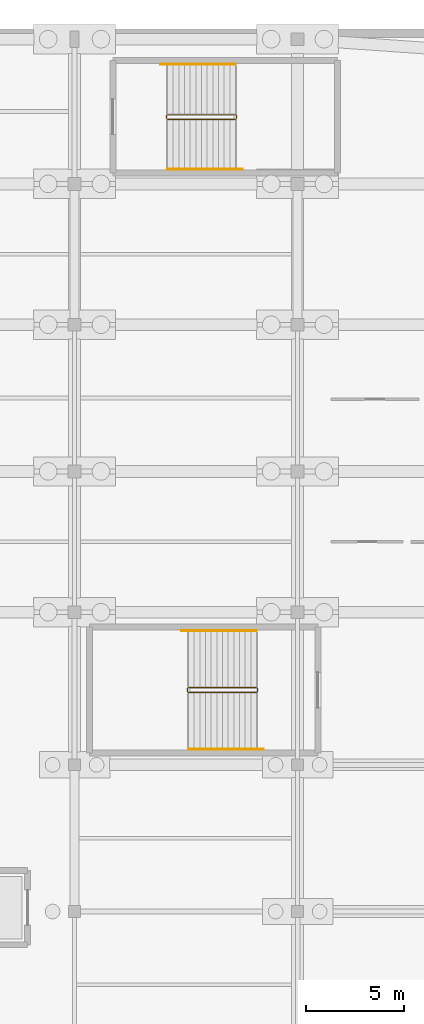
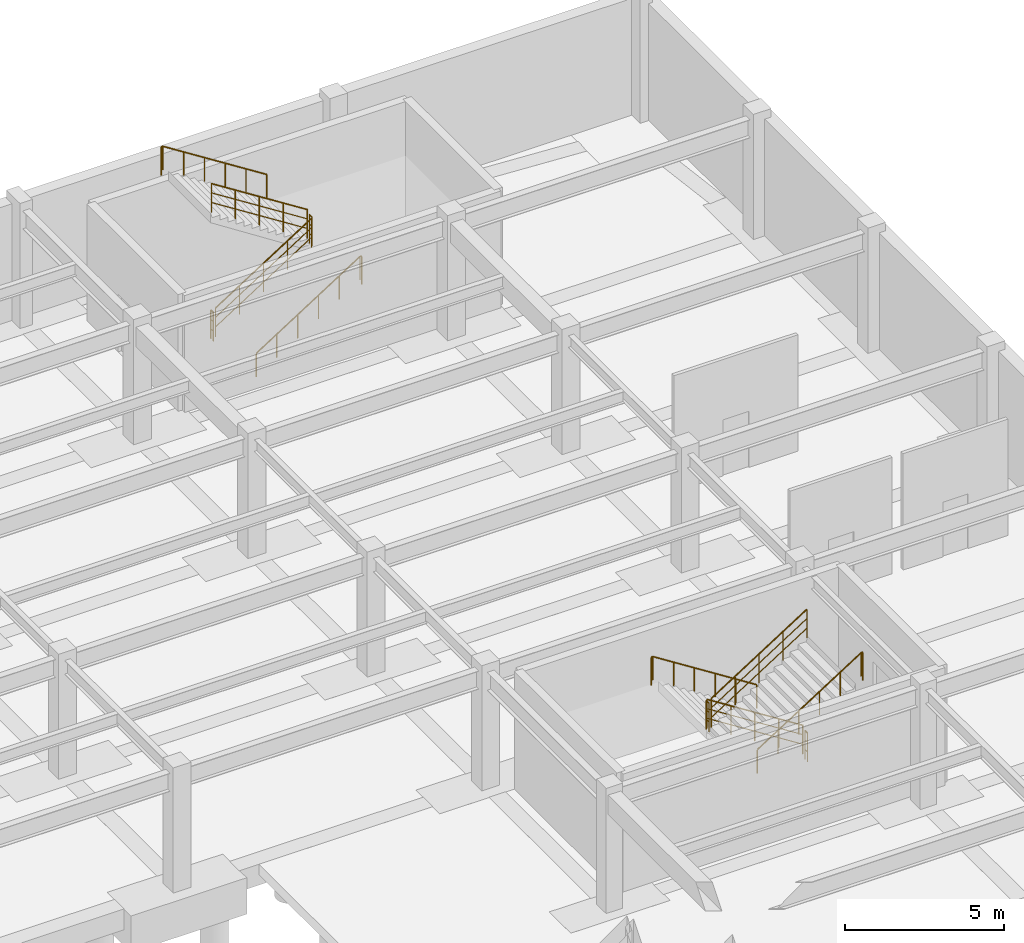
# One storey, part 67 of 68: 12 railings.
"""IFC4 building model written with IfcOpenShell, lengths in metres."""

from ifc_helpers import new_model, si_unit, direction, frame, origin, origin_2d, place, context, subcontext, project, spatial, circle, extrude, material, type_object, element, save


model = new_model("IFC4")

# Units and contexts
model_context = context("Model", 3, precision=1e-05, world=origin(), true_north=direction((0.0, 1.0)))
body_context = subcontext(model_context, "Body", "Model", "MODEL_VIEW")
ifc_project = project(units=[si_unit("LENGTHUNIT", "METRE"), si_unit("AREAUNIT", "SQUARE_METRE"), si_unit("VOLUMEUNIT", "CUBIC_METRE"), si_unit("PLANEANGLEUNIT", "RADIAN"), si_unit("MASSUNIT", "GRAM", prefix="KILO")], contexts=[model_context])

# Site, building, storey
site_placement = place(None, origin())
site = spatial("IfcSite", under=ifc_project, at=site_placement, CompositionType="ELEMENT")
building_placement = place(site_placement, origin())
building = spatial("IfcBuilding", under=site, at=building_placement, Name="Cinderbank Siding Concert Hall", CompositionType="ELEMENT")
storey_placement = place(building_placement, frame((0.0, 0.0, -4.800048828125)))
storey = spatial("IfcBuildingStorey", under=building, at=storey_placement, Name="B1", CompositionType="ELEMENT", Elevation=-4.800048828125)

# Railings
ifc_material = material(Name="Structural steel AS/NZS 3679.1 Grade 350 (340 MPa)", Category="steel")
railing_type_1 = type_object("IfcRailingType", Name="STG-01 Stair Well Guardrail 1120mm", PredefinedType="GUARDRAIL", material=ifc_material)
railing_1_placement = place(storey_placement, frame((155.14990234375, 113.800048828125, 0.1845703125)))
element("IfcRailing", 1, at=railing_1_placement, inside=storey, type_object=railing_type_1, Name="B1 ST-07 stair guard 1", PredefinedType="GUARDRAIL", context=body_context, shape_type="SweptSolid", body=[
    extrude(circle(Radius=0.02392578125, at=origin_2d()), frame((0.0, 0.0, 1.09619140625), z_axis=(0.843546938479, 0.0, 0.53705545578), x_axis=(0.0, 1.0, 0.0)), (0.0, 0.0, 1.0), 4.12548828125),
    extrude(circle(Radius=0.01611328125, at=origin_2d()), frame((0.0, 0.0, 0.36962890625), z_axis=(0.843546938479, 0.0, 0.53705545578), x_axis=(0.0, 1.0, 0.0)), (0.0, 0.0, 1.0), 4.12548828125),
    extrude(circle(Radius=0.01611328125, at=origin_2d()), frame((0.0, 0.0, 0.7392578125), z_axis=(0.843546938479, 0.0, 0.53705545578), x_axis=(0.0, 1.0, 0.0)), (0.0, 0.0, 1.0), 4.12548828125),
    extrude(circle(Radius=0.02099609375, at=origin_2d()), origin(), (0.0, 0.0, 1.0), 1.072021484375),
    extrude(circle(Radius=0.02099609375, at=origin_2d()), frame((0.8701171875, 0.0, 0.553955078125)), (0.0, 0.0, 1.0), 1.072021484375),
    extrude(circle(Radius=0.02099609375, at=origin_2d()), frame((1.739990234375, 0.0, 1.10791015625)), (0.0, 0.0, 1.0), 1.072021484375),
    extrude(circle(Radius=0.02099609375, at=origin_2d()), frame((2.60986328125, 0.0, 1.66162109375)), (0.0, 0.0, 1.0), 1.072021484375),
    extrude(circle(Radius=0.02099609375, at=origin_2d()), frame((3.47998046875, 0.0, 2.215576171875)), (0.0, 0.0, 1.0), 1.072021484375),
])
railing_2_placement = place(storey_placement, frame((158.679931640625, 113.85009765625, 2.400146484375)))
element("IfcRailing", 2, at=railing_2_placement, inside=storey, type_object=railing_type_1, Name="B1 ST-07 stair guard 2", PredefinedType="GUARDRAIL", context=body_context, shape_type="SweptSolid", body=[
    extrude(circle(Radius=0.02392578125, at=origin_2d()), frame((0.0, 0.0, 1.09619140625), z_axis=(0.0, 1.0, 0.0), x_axis=(-1.0, 0.0, 0.0)), (0.0, 0.0, 1.0), 0.159912109375),
    extrude(circle(Radius=0.01611328125, at=origin_2d()), frame((0.0, 0.0, 0.36962890625), z_axis=(0.0, 1.0, 0.0), x_axis=(-1.0, 0.0, 0.0)), (0.0, 0.0, 1.0), 0.159912109375),
    extrude(circle(Radius=0.01611328125, at=origin_2d()), frame((0.0, 0.0, 0.7392578125), z_axis=(0.0, 1.0, 0.0), x_axis=(-1.0, 0.0, 0.0)), (0.0, 0.0, 1.0), 0.159912109375),
    extrude(circle(Radius=0.02099609375, at=origin_2d()), origin(), (0.0, 0.0, 1.0), 1.072021484375),
    extrude(circle(Radius=0.02099609375, at=origin_2d()), frame((0.0, 0.159912109375, 0.0)), (0.0, 0.0, 1.0), 1.072021484375),
])
railing_3_placement = place(storey_placement, frame((158.6298828125, 114.06005859375, 2.584716796875)))
element("IfcRailing", 3, at=railing_3_placement, inside=storey, type_object=railing_type_1, Name="B1 ST-07 stair guard 3", PredefinedType="GUARDRAIL", context=body_context, shape_type="SweptSolid", body=[
    extrude(circle(Radius=0.02392578125, at=origin_2d()), frame((0.0, 0.0, 1.09619140625), z_axis=(-0.843573748531, 0.0, 0.537013343214), x_axis=(0.0, -1.0, 0.0)), (0.0, 0.0, 1.0), 4.125244140625),
    extrude(circle(Radius=0.01611328125, at=origin_2d()), frame((0.0, 0.0, 0.36962890625), z_axis=(-0.843573748531, 0.0, 0.537013343214), x_axis=(0.0, -1.0, 0.0)), (0.0, 0.0, 1.0), 4.125244140625),
    extrude(circle(Radius=0.01611328125, at=origin_2d()), frame((0.0, 0.0, 0.7392578125), z_axis=(-0.843573748531, 0.0, 0.537013343214), x_axis=(0.0, -1.0, 0.0)), (0.0, 0.0, 1.0), 4.125244140625),
    extrude(circle(Radius=0.02099609375, at=origin_2d()), origin(), (0.0, 0.0, 1.0), 1.072021484375),
    extrude(circle(Radius=0.02099609375, at=origin_2d()), frame((-0.8701171875, 0.0, 0.5537109375)), (0.0, 0.0, 1.0), 1.072021484375),
    extrude(circle(Radius=0.02099609375, at=origin_2d()), frame((-1.739990234375, 0.0, 1.107666015625)), (0.0, 0.0, 1.0), 1.072021484375),
    extrude(circle(Radius=0.02099609375, at=origin_2d()), frame((-2.60986328125, 0.0, 1.66162109375)), (0.0, 0.0, 1.0), 1.072021484375),
    extrude(circle(Radius=0.02099609375, at=origin_2d()), frame((-3.47998046875, 0.0, 2.21533203125)), (0.0, 0.0, 1.0), 1.072021484375),
])
railing_4_placement = place(storey_placement, frame((155.10009765625, 113.85009765625, 0.0)))
element("IfcRailing", 4, at=railing_4_placement, inside=storey, type_object=railing_type_1, Name="B1 ST-07 stair guard 4", PredefinedType="GUARDRAIL", context=body_context, shape_type="SweptSolid", body=[
    extrude(circle(Radius=0.02392578125, at=origin_2d()), frame((0.0, 0.0, 1.09619140625), z_axis=(0.0, 1.0, 0.0), x_axis=(-1.0, 0.0, 0.0)), (0.0, 0.0, 1.0), 0.159912109375),
    extrude(circle(Radius=0.01611328125, at=origin_2d()), frame((0.0, 0.0, 0.36962890625), z_axis=(0.0, 1.0, 0.0), x_axis=(-1.0, 0.0, 0.0)), (0.0, 0.0, 1.0), 0.159912109375),
    extrude(circle(Radius=0.01611328125, at=origin_2d()), frame((0.0, 0.0, 0.7392578125), z_axis=(0.0, 1.0, 0.0), x_axis=(-1.0, 0.0, 0.0)), (0.0, 0.0, 1.0), 0.159912109375),
    extrude(circle(Radius=0.02099609375, at=origin_2d()), origin(), (0.0, 0.0, 1.0), 1.072021484375),
    extrude(circle(Radius=0.02099609375, at=origin_2d()), frame((0.0, 0.159912109375, 0.0)), (0.0, 0.0, 1.0), 1.072021484375),
])
railing_5_placement = place(storey_placement, frame((159.699951171875, 84.760009765625, 0.1845703125)))
element("IfcRailing", 5, at=railing_5_placement, inside=storey, type_object=railing_type_1, Name="B1 ST-11 stair guard 1", PredefinedType="GUARDRAIL", context=body_context, shape_type="SweptSolid", body=[
    extrude(circle(Radius=0.02392578125, at=origin_2d()), frame((0.0, 0.0, 1.09619140625), z_axis=(-0.843546938479, 0.0, 0.53705545578), x_axis=(0.0, -1.0, 0.0)), (0.0, 0.0, 1.0), 4.12548828125),
    extrude(circle(Radius=0.01611328125, at=origin_2d()), frame((0.0, 0.0, 0.36962890625), z_axis=(-0.843546938479, 0.0, 0.53705545578), x_axis=(0.0, -1.0, 0.0)), (0.0, 0.0, 1.0), 4.12548828125),
    extrude(circle(Radius=0.01611328125, at=origin_2d()), frame((0.0, 0.0, 0.7392578125), z_axis=(-0.843546938479, 0.0, 0.53705545578), x_axis=(0.0, -1.0, 0.0)), (0.0, 0.0, 1.0), 4.12548828125),
    extrude(circle(Radius=0.02099609375, at=origin_2d()), origin(), (0.0, 0.0, 1.0), 1.072021484375),
    extrude(circle(Radius=0.02099609375, at=origin_2d()), frame((-0.8701171875, 0.0, 0.553955078125)), (0.0, 0.0, 1.0), 1.072021484375),
    extrude(circle(Radius=0.02099609375, at=origin_2d()), frame((-1.739990234375, 0.0, 1.10791015625)), (0.0, 0.0, 1.0), 1.072021484375),
    extrude(circle(Radius=0.02099609375, at=origin_2d()), frame((-2.60986328125, 0.0, 1.66162109375)), (0.0, 0.0, 1.0), 1.072021484375),
    extrude(circle(Radius=0.02099609375, at=origin_2d()), frame((-3.47998046875, 0.0, 2.215576171875)), (0.0, 0.0, 1.0), 1.072021484375),
])
railing_6_placement = place(storey_placement, frame((156.169921875, 84.7099609375, 2.400146484375)))
element("IfcRailing", 6, at=railing_6_placement, inside=storey, type_object=railing_type_1, Name="B1 ST-11 stair guard 2", PredefinedType="GUARDRAIL", context=body_context, shape_type="SweptSolid", body=[
    extrude(circle(Radius=0.02392578125, at=origin_2d()), frame((0.0, 0.0, 1.09619140625), z_axis=(0.0, -1.0, 0.0), x_axis=(1.0, 0.0, 0.0)), (0.0, 0.0, 1.0), 0.159912109375),
    extrude(circle(Radius=0.01611328125, at=origin_2d()), frame((0.0, 0.0, 0.36962890625), z_axis=(0.0, -1.0, 0.0), x_axis=(1.0, 0.0, 0.0)), (0.0, 0.0, 1.0), 0.159912109375),
    extrude(circle(Radius=0.01611328125, at=origin_2d()), frame((0.0, 0.0, 0.7392578125), z_axis=(0.0, -1.0, 0.0), x_axis=(1.0, 0.0, 0.0)), (0.0, 0.0, 1.0), 0.159912109375),
    extrude(circle(Radius=0.02099609375, at=origin_2d()), origin(), (0.0, 0.0, 1.0), 1.072021484375),
    extrude(circle(Radius=0.02099609375, at=origin_2d()), frame((0.0, -0.159912109375, 0.0)), (0.0, 0.0, 1.0), 1.072021484375),
])
railing_7_placement = place(storey_placement, frame((156.219970703125, 84.5, 2.584716796875)))
element("IfcRailing", 7, at=railing_7_placement, inside=storey, type_object=railing_type_1, Name="B1 ST-11 stair guard 3", PredefinedType="GUARDRAIL", context=body_context, shape_type="SweptSolid", body=[
    extrude(circle(Radius=0.02392578125, at=origin_2d()), frame((0.0, 0.0, 1.09619140625), z_axis=(0.843573748531, 0.0, 0.537013343214), x_axis=(0.0, 1.0, 0.0)), (0.0, 0.0, 1.0), 4.125244140625),
    extrude(circle(Radius=0.01611328125, at=origin_2d()), frame((0.0, 0.0, 0.36962890625), z_axis=(0.843573748531, 0.0, 0.537013343214), x_axis=(0.0, 1.0, 0.0)), (0.0, 0.0, 1.0), 4.125244140625),
    extrude(circle(Radius=0.01611328125, at=origin_2d()), frame((0.0, 0.0, 0.7392578125), z_axis=(0.843573748531, 0.0, 0.537013343214), x_axis=(0.0, 1.0, 0.0)), (0.0, 0.0, 1.0), 4.125244140625),
    extrude(circle(Radius=0.02099609375, at=origin_2d()), origin(), (0.0, 0.0, 1.0), 1.072021484375),
    extrude(circle(Radius=0.02099609375, at=origin_2d()), frame((0.8701171875, 0.0, 0.5537109375)), (0.0, 0.0, 1.0), 1.072021484375),
    extrude(circle(Radius=0.02099609375, at=origin_2d()), frame((1.739990234375, 0.0, 1.107666015625)), (0.0, 0.0, 1.0), 1.072021484375),
    extrude(circle(Radius=0.02099609375, at=origin_2d()), frame((2.60986328125, 0.0, 1.66162109375)), (0.0, 0.0, 1.0), 1.072021484375),
    extrude(circle(Radius=0.02099609375, at=origin_2d()), frame((3.47998046875, 0.0, 2.21533203125)), (0.0, 0.0, 1.0), 1.072021484375),
])
railing_8_placement = place(storey_placement, frame((159.75, 84.7099609375, 0.0)))
element("IfcRailing", 8, at=railing_8_placement, inside=storey, type_object=railing_type_1, Name="B1 ST-11 stair guard 4", PredefinedType="GUARDRAIL", context=body_context, shape_type="SweptSolid", body=[
    extrude(circle(Radius=0.02392578125, at=origin_2d()), frame((0.0, 0.0, 1.09619140625), z_axis=(0.0, -1.0, 0.0), x_axis=(1.0, 0.0, 0.0)), (0.0, 0.0, 1.0), 0.159912109375),
    extrude(circle(Radius=0.01611328125, at=origin_2d()), frame((0.0, 0.0, 0.36962890625), z_axis=(0.0, -1.0, 0.0), x_axis=(1.0, 0.0, 0.0)), (0.0, 0.0, 1.0), 0.159912109375),
    extrude(circle(Radius=0.01611328125, at=origin_2d()), frame((0.0, 0.0, 0.7392578125), z_axis=(0.0, -1.0, 0.0), x_axis=(1.0, 0.0, 0.0)), (0.0, 0.0, 1.0), 0.159912109375),
    extrude(circle(Radius=0.02099609375, at=origin_2d()), origin(), (0.0, 0.0, 1.0), 1.072021484375),
    extrude(circle(Radius=0.02099609375, at=origin_2d()), frame((0.0, -0.159912109375, 0.0)), (0.0, 0.0, 1.0), 1.072021484375),
])
railing_type_2 = type_object("IfcRailingType", Name="STH-01 Stair Pitch Handrail 920mm", PredefinedType="HANDRAIL", material=ifc_material)
railing_9_placement = place(storey_placement, frame((155.14990234375, 111.25, 0.1845703125)))
element("IfcRailing", 9, at=railing_9_placement, inside=storey, type_object=railing_type_2, Name="B1 ST-07 stair handrail 1", PredefinedType="HANDRAIL", context=body_context, shape_type="SweptSolid", body=[
    extrude(circle(Radius=0.02392578125, at=origin_2d()), frame((0.0, 0.0, 0.89599609375), z_axis=(0.843555751359, 0.0, 0.537041613237), x_axis=(0.0, 1.0, 0.0)), (0.0, 0.0, 1.0), 4.46923828125),
    extrude(circle(Radius=0.02392578125, at=origin_2d()), frame((3.77001953125, 0.0, 3.2958984375), z_axis=(1.0, 0.0, 0.0), x_axis=(0.0, 1.0, 0.0)), (0.0, 0.0, 1.0), 0.06005859375),
    extrude(circle(Radius=0.02099609375, at=origin_2d()), origin(), (0.0, 0.0, 1.0), 0.871826171875),
    extrude(circle(Radius=0.02099609375, at=origin_2d()), frame((0.75390625, 0.0, 0.47998046875)), (0.0, 0.0, 1.0), 0.871826171875),
    extrude(circle(Radius=0.02099609375, at=origin_2d()), frame((1.508056640625, 0.0, 0.9599609375)), (0.0, 0.0, 1.0), 0.871826171875),
    extrude(circle(Radius=0.02099609375, at=origin_2d()), frame((2.261962890625, 0.0, 1.440185546875)), (0.0, 0.0, 1.0), 0.871826171875),
    extrude(circle(Radius=0.02099609375, at=origin_2d()), frame((3.01611328125, 0.0, 1.920166015625)), (0.0, 0.0, 1.0), 0.871826171875),
    extrude(circle(Radius=0.02099609375, at=origin_2d()), frame((3.77001953125, 0.0, 2.400146484375)), (0.0, 0.0, 1.0), 0.871826171875),
    extrude(circle(Radius=0.02099609375, at=origin_2d()), frame((3.830078125, 0.0, 2.215576171875)), (0.0, 0.0, 1.0), 1.056396484375),
])
railing_10_placement = place(storey_placement, frame((158.6298828125, 116.610107421875, 2.584716796875)))
element("IfcRailing", 10, at=railing_10_placement, inside=storey, type_object=railing_type_2, Name="B1 ST-07 stair handrail 2", PredefinedType="HANDRAIL", context=body_context, shape_type="SweptSolid", body=[
    extrude(circle(Radius=0.02392578125, at=origin_2d()), frame((0.0, 0.0, 0.89599609375), z_axis=(-0.843564744176, 0.0, 0.537027487549), x_axis=(0.0, -1.0, 0.0)), (0.0, 0.0, 1.0), 4.46875),
    extrude(circle(Radius=0.02392578125, at=origin_2d()), frame((-3.769775390625, 0.0, 3.2958984375), z_axis=(-1.0, 0.0, 0.0), x_axis=(0.0, -1.0, 0.0)), (0.0, 0.0, 1.0), 0.06005859375),
    extrude(circle(Radius=0.02099609375, at=origin_2d()), origin(), (0.0, 0.0, 1.0), 0.871826171875),
    extrude(circle(Radius=0.02099609375, at=origin_2d()), frame((-0.75390625, 0.0, 0.47998046875)), (0.0, 0.0, 1.0), 0.871826171875),
    extrude(circle(Radius=0.02099609375, at=origin_2d()), frame((-1.5078125, 0.0, 0.9599609375)), (0.0, 0.0, 1.0), 0.871826171875),
    extrude(circle(Radius=0.02099609375, at=origin_2d()), frame((-2.261962890625, 0.0, 1.43994140625)), (0.0, 0.0, 1.0), 0.871826171875),
    extrude(circle(Radius=0.02099609375, at=origin_2d()), frame((-3.015869140625, 0.0, 1.919921875)), (0.0, 0.0, 1.0), 0.871826171875),
    extrude(circle(Radius=0.02099609375, at=origin_2d()), frame((-3.769775390625, 0.0, 2.39990234375)), (0.0, 0.0, 1.0), 0.871826171875),
    extrude(circle(Radius=0.02099609375, at=origin_2d()), frame((-3.829833984375, 0.0, 2.21533203125)), (0.0, 0.0, 1.0), 1.056396484375),
])
railing_11_placement = place(storey_placement, frame((159.699951171875, 87.659912109375, 0.1845703125)))
element("IfcRailing", 11, at=railing_11_placement, inside=storey, type_object=railing_type_2, Name="B1 ST-11 stair handrail 1", PredefinedType="HANDRAIL", context=body_context, shape_type="SweptSolid", body=[
    extrude(circle(Radius=0.02392578125, at=origin_2d()), frame((0.0, 0.0, 0.89599609375), z_axis=(-0.843555751359, 0.0, 0.537041613237), x_axis=(0.0, -1.0, 0.0)), (0.0, 0.0, 1.0), 4.46923828125),
    extrude(circle(Radius=0.02392578125, at=origin_2d()), frame((-3.77001953125, 0.0, 3.2958984375), z_axis=(-1.0, 0.0, 0.0), x_axis=(0.0, -1.0, 0.0)), (0.0, 0.0, 1.0), 0.059814453125),
    extrude(circle(Radius=0.02099609375, at=origin_2d()), origin(), (0.0, 0.0, 1.0), 0.871826171875),
    extrude(circle(Radius=0.02099609375, at=origin_2d()), frame((-0.75390625, 0.0, 0.47998046875)), (0.0, 0.0, 1.0), 0.871826171875),
    extrude(circle(Radius=0.02099609375, at=origin_2d()), frame((-1.508056640625, 0.0, 0.9599609375)), (0.0, 0.0, 1.0), 0.871826171875),
    extrude(circle(Radius=0.02099609375, at=origin_2d()), frame((-2.261962890625, 0.0, 1.440185546875)), (0.0, 0.0, 1.0), 0.871826171875),
    extrude(circle(Radius=0.02099609375, at=origin_2d()), frame((-3.01611328125, 0.0, 1.920166015625)), (0.0, 0.0, 1.0), 0.871826171875),
    extrude(circle(Radius=0.02099609375, at=origin_2d()), frame((-3.77001953125, 0.0, 2.400146484375)), (0.0, 0.0, 1.0), 0.871826171875),
    extrude(circle(Radius=0.02099609375, at=origin_2d()), frame((-3.829833984375, 0.0, 2.215576171875)), (0.0, 0.0, 1.0), 1.056396484375),
])
railing_12_placement = place(storey_placement, frame((156.219970703125, 81.60009765625, 2.584716796875)))
element("IfcRailing", 12, at=railing_12_placement, inside=storey, type_object=railing_type_2, Name="B1 ST-11 stair handrail 2", PredefinedType="HANDRAIL", context=body_context, shape_type="SweptSolid", body=[
    extrude(circle(Radius=0.02392578125, at=origin_2d()), frame((0.0, 0.0, 0.89599609375), z_axis=(0.843580498726, 0.0, 0.537002739443), x_axis=(0.0, 1.0, 0.0)), (0.0, 0.0, 1.0), 4.468994140625),
    extrude(circle(Radius=0.02392578125, at=origin_2d()), frame((3.77001953125, 0.0, 3.2958984375), z_axis=(1.0, 0.0, 0.0), x_axis=(0.0, 1.0, 0.0)), (0.0, 0.0, 1.0), 0.06005859375),
    extrude(circle(Radius=0.02099609375, at=origin_2d()), origin(), (0.0, 0.0, 1.0), 0.871826171875),
    extrude(circle(Radius=0.02099609375, at=origin_2d()), frame((0.75390625, 0.0, 0.47998046875)), (0.0, 0.0, 1.0), 0.871826171875),
    extrude(circle(Radius=0.02099609375, at=origin_2d()), frame((1.508056640625, 0.0, 0.9599609375)), (0.0, 0.0, 1.0), 0.871826171875),
    extrude(circle(Radius=0.02099609375, at=origin_2d()), frame((2.261962890625, 0.0, 1.43994140625)), (0.0, 0.0, 1.0), 0.871826171875),
    extrude(circle(Radius=0.02099609375, at=origin_2d()), frame((3.01611328125, 0.0, 1.919921875)), (0.0, 0.0, 1.0), 0.871826171875),
    extrude(circle(Radius=0.02099609375, at=origin_2d()), frame((3.77001953125, 0.0, 2.39990234375)), (0.0, 0.0, 1.0), 0.871826171875),
    extrude(circle(Radius=0.02099609375, at=origin_2d()), frame((3.830078125, 0.0, 2.21533203125)), (0.0, 0.0, 1.0), 1.056396484375),
])

save(model, "model.ifc")
